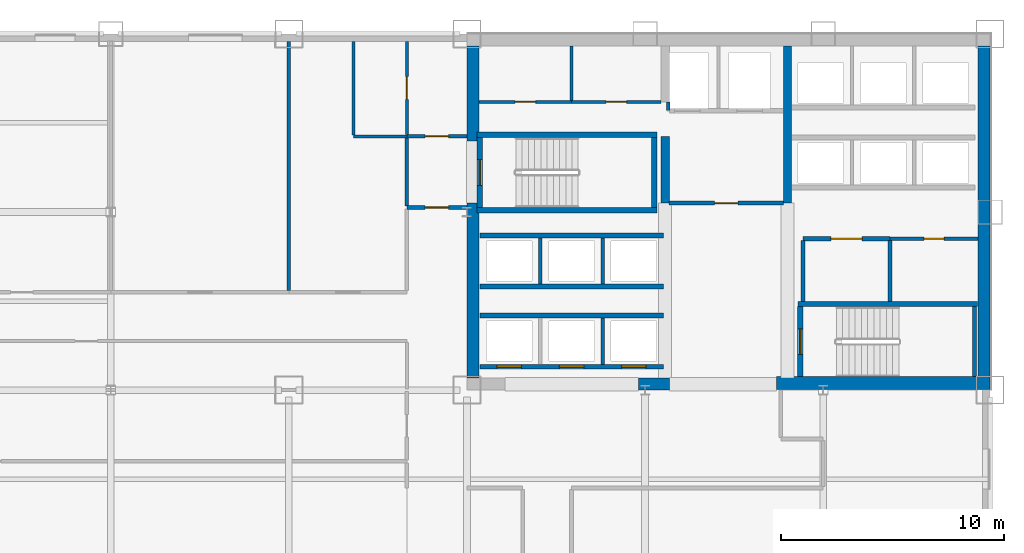
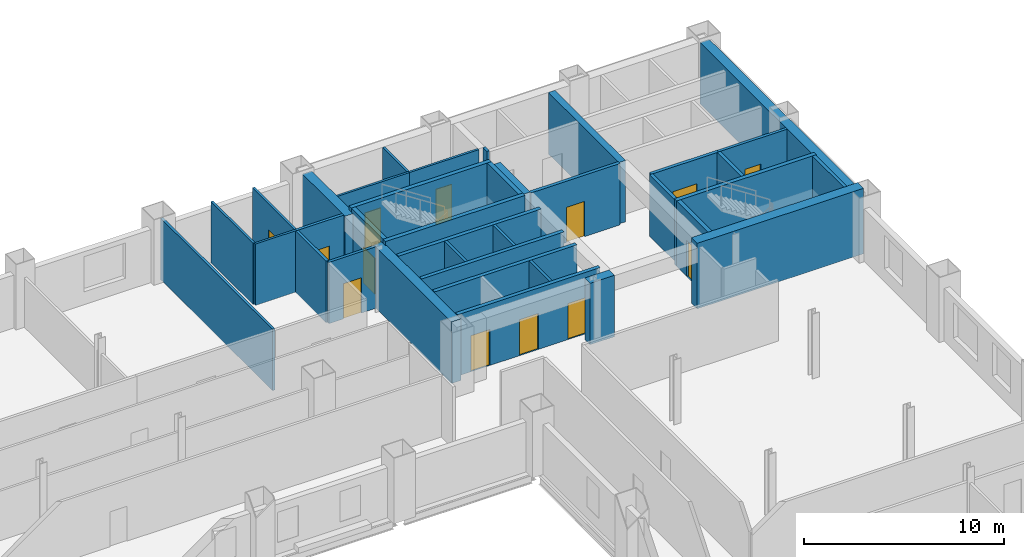
# One storey, part 6 of 9: 37 walls, 13 doors, 13 openings.
"""IFC4 building model written with IfcOpenShell, lengths in metres."""

from ifc_helpers import new_model, si_unit, direction, frame, frame_2d, origin, place, context, subcontext, project, spatial, rectangle, extrude, material, layer, layer_set, type_object, element, fill, save


model = new_model("IFC4")

# Units and contexts
model_context = context("Model", 3, precision=1e-05, world=origin(), true_north=direction((0.0, 1.0)))
body_context = subcontext(model_context, "Body", "Model", "MODEL_VIEW")
ifc_project = project(units=[si_unit("LENGTHUNIT", "METRE"), si_unit("AREAUNIT", "SQUARE_METRE"), si_unit("VOLUMEUNIT", "CUBIC_METRE"), si_unit("PLANEANGLEUNIT", "RADIAN"), si_unit("MASSUNIT", "GRAM", prefix="KILO")], contexts=[model_context])

# Site, building, storey
site_placement = place(None, origin())
site = spatial("IfcSite", under=ifc_project, at=site_placement, CompositionType="ELEMENT")
building_placement = place(site_placement, origin())
building = spatial("IfcBuilding", under=site, at=building_placement, Name="Qianrong Seaharbour Tower", CompositionType="ELEMENT")
storey_placement = place(building_placement, frame((0.0, 0.0, 52.199951171875)))
storey = spatial("IfcBuildingStorey", under=building, at=storey_placement, Name="L12", CompositionType="ELEMENT", Elevation=52.199951171875)

# Walls
ifc_material_1 = material(Name="Concrete C70/85", Category="concrete")
ifc_layer_1 = layer(ifc_material_1, 0.5400390625)
ifc_layer_set_1 = layer_set([ifc_layer_1], Name="Concrete C70/85")
wall_type_1 = type_object("IfcWallType", Name="WALL-CORE-540", PredefinedType="SHEAR", material=ifc_layer_set_1)
wall_1_placement = place(storey_placement, frame((63.72998046875, 36.320068359375, 0.0), z_axis=(0.0, 0.0, 1.0), x_axis=(0.0, 1.0, 0.0)))
element("IfcWall", 1, at=wall_1_placement, inside=storey, type_object=wall_type_1, Name="L12 East Core Shear Wall", PredefinedType="SHEAR", context=body_context, shape_type="SweptSolid", body=[
    extrude(rectangle(XDim=15.139892578125, YDim=0.5400390625, at=frame_2d((7.56982421875, 0.0))), origin(), (0.0, 0.0, 1.0), 3.75),
])
wall_2_placement = place(storey_placement, frame((40.77001953125, 36.5400390625, 0.0), z_axis=(0.0, 0.0, 1.0), x_axis=(0.0, 1.0, 0.0)))
element("IfcWall", 2, at=wall_2_placement, inside=storey, type_object=wall_type_1, Name="L12 West Core Shear Wall South", PredefinedType="SHEAR", context=body_context, shape_type="SweptSolid", body=[
    extrude(rectangle(XDim=7.85986328125, YDim=0.5400390625, at=frame_2d((3.929931640625, 0.0))), origin(), (0.0, 0.0, 1.0), 3.75),
])
wall_3_placement = place(storey_placement, frame((40.77001953125, 47.199951171875, 0.0), z_axis=(0.0, 0.0, 1.0), x_axis=(0.0, 1.0, 0.0)))
element("IfcWall", 3, at=wall_3_placement, inside=storey, type_object=wall_type_1, Name="L12 West Core Shear Wall North", PredefinedType="SHEAR", context=body_context, shape_type="SweptSolid", body=[
    extrude(rectangle(XDim=4.260009765625, YDim=0.5400390625, at=frame_2d((2.1298828125, 0.0))), origin(), (0.0, 0.0, 1.0), 3.75),
])
wall_4_placement = place(storey_placement, frame((48.199951171875, 36.27001953125, 0.0), z_axis=(0.0, 0.0, 1.0), x_axis=(1.0, 0.0, 0.0)))
element("IfcWall", 4, at=wall_4_placement, inside=storey, type_object=wall_type_1, Name="L12 South Core Shear Wall S2", PredefinedType="SHEAR", context=body_context, shape_type="SweptSolid", body=[
    extrude(rectangle(XDim=1.400146484375, YDim=0.5400390625, at=frame_2d((0.7001953125, 0.0))), origin(), (0.0, 0.0, 1.0), 3.75),
])
ifc_layer_2 = layer(ifc_material_1, 0.580078125)
ifc_layer_set_2 = layer_set([ifc_layer_2], Name="Concrete C70/85")
wall_type_2 = type_object("IfcWallType", Name="WALL-CORE-580", PredefinedType="SHEAR", material=ifc_layer_set_2)
wall_5_placement = place(storey_placement, frame((54.39990234375, 36.320068359375, 0.0), z_axis=(0.0, 0.0, 1.0), x_axis=(1.0, 0.0, 0.0)))
element("IfcWall", 5, at=wall_5_placement, inside=storey, type_object=wall_type_2, Name="L12 South Core Shear Wall S3", PredefinedType="SHEAR", context=body_context, shape_type="SweptSolid", body=[
    extrude(rectangle(XDim=9.60009765625, YDim=0.580078125, at=frame_2d((4.800048828125, 0.0))), origin(), (0.0, 0.0, 1.0), 4.0),
])
ifc_material_2 = material(Name="Concrete C60/75", Category="concrete")
ifc_layer_3 = layer(ifc_material_2, 0.3798828125)
ifc_layer_set_3 = layer_set([ifc_layer_3], Name="Concrete C60/75")
wall_type_3 = type_object("IfcWallType", Name="WALL-CORE-INT-380", PredefinedType="SHEAR", material=ifc_layer_set_3)
wall_6_placement = place(storey_placement, frame((49.39990234375, 44.39990234375, 0.0), z_axis=(0.0, 0.0, 1.0), x_axis=(0.0, 1.0, 0.0)))
element("IfcWall", 6, at=wall_6_placement, inside=storey, type_object=wall_type_3, Name="L12 Internal Core Shear Wall IW1N1", PredefinedType="SHEAR", context=body_context, shape_type="SweptSolid", body=[
    extrude(rectangle(XDim=3.0, YDim=0.3798828125, at=frame_2d((1.5, 0.0))), origin(), (0.0, 0.0, 1.0), 3.75),
])
wall_7_placement = place(storey_placement, frame((54.89990234375, 44.39990234375, 0.0), z_axis=(0.0, 0.0, 1.0), x_axis=(0.0, 1.0, 0.0)))
element("IfcWall", 7, at=wall_7_placement, inside=storey, type_object=wall_type_3, Name="L12 Internal Core Shear Wall IW2N", PredefinedType="SHEAR", context=body_context, shape_type="SweptSolid", body=[
    extrude(rectangle(XDim=7.06005859375, YDim=0.3798828125, at=frame_2d((3.530029296875, 0.0))), origin(), (0.0, 0.0, 1.0), 3.75),
])

# Wall, opening, door
ifc_material_3 = material(Name="Fire-rated acoustic gypsum board partition")
ifc_layer_4 = layer(ifc_material_3, 0.1650390625)
ifc_layer_set_4 = layer_set([ifc_layer_4], Name="Fire-rated acoustic gypsum board partition")
wall_type_4 = type_object("IfcWallType", Name="WALL-CORR-PART-165", PredefinedType="PARTITIONING", material=ifc_layer_set_4)
wall_8_placement = place(storey_placement, frame((37.800048828125, 47.39990234375, 0.0), z_axis=(0.0, 0.0, 1.0), x_axis=(1.0, 0.0, 0.0)))
wall_8 = element("IfcWall", 8, at=wall_8_placement, inside=storey, type_object=wall_type_4, Name="L12 Interior Partition Wall 001", PredefinedType="PARTITIONING", context=body_context, shape_type="SweptSolid", body=[
    extrude(rectangle(XDim=2.699951171875, YDim=0.1650390625, at=frame_2d((1.35009765625, 0.0))), origin(), (0.0, 0.0, 1.0), 3.75),
])
opening_1_placement = place(wall_8_placement, frame((0.824951171875, 0.0, 0.0)))
opening_1 = element("IfcOpeningElement", 9, at=opening_1_placement, cuts=wall_8, Name="Opening DC-01", PredefinedType="OPENING", context=body_context, shape_type="SweptSolid", body=[
    extrude(rectangle(XDim=1.050048828125, YDim=2.14990234375, at=frame_2d((0.52490234375, 1.074951171875))), frame((0.0, 0.092529296875, 0.0), z_axis=(0.0, -1.0, 0.0), x_axis=(1.0, 0.0, 0.0)), (0.0, 0.0, 1.0), 0.18505859375),
])
ifc_material_4 = material(Name="Acoustic timber and galvanized steel fire door assembly", Category="steel")
door_type_1 = type_object("IfcDoorType", Name="DOOR-CORR-FD60-1050x2150", OperationType="NOTDEFINED", PredefinedType="DOOR", material=ifc_material_4)
door_1_placement = place(opening_1_placement, origin())
door_1 = element("IfcDoor", 10, at=door_1_placement, inside=storey, type_object=door_type_1, Name="L12 Smokeproof Stair Vestibule ST-1 Door", OperationType="SINGLE_SWING_RIGHT", OverallHeight=2.14990234375, OverallWidth=1.050048828125, PredefinedType="DOOR", context=body_context, shape_type="SweptSolid", body=[
    extrude(rectangle(XDim=1.050048828125, YDim=2.14990234375, at=frame_2d((0.52490234375, 1.074951171875))), frame((0.0, 0.02490234375, 0.0), z_axis=(0.0, -1.0, 0.0), x_axis=(1.0, 0.0, 0.0)), (0.0, 0.0, 1.0), 0.050048828125),
])
fill(opening_1, door_1)

wall_9_placement = place(storey_placement, frame((40.5, 44.199951171875, 0.0), z_axis=(0.0, 0.0, 1.0), x_axis=(-1.0, 0.0, 0.0)))
wall_9 = element("IfcWall", 11, at=wall_9_placement, inside=storey, type_object=wall_type_4, Name="L12 Interior Partition Wall 002", PredefinedType="PARTITIONING", context=body_context, shape_type="SweptSolid", body=[
    extrude(rectangle(XDim=2.699951171875, YDim=0.1650390625, at=frame_2d((1.35009765625, 0.0))), origin(), (0.0, 0.0, 1.0), 3.75),
])
opening_2_placement = place(wall_9_placement, frame((0.824951171875, 0.0, 0.0)))
opening_2 = element("IfcOpeningElement", 12, at=opening_2_placement, cuts=wall_9, Name="Opening DC-01", PredefinedType="OPENING", context=body_context, shape_type="SweptSolid", body=[
    extrude(rectangle(XDim=1.050048828125, YDim=2.14990234375, at=frame_2d((0.52490234375, 1.074951171875))), frame((0.0, 0.092529296875, 0.0), z_axis=(0.0, -1.0, 0.0), x_axis=(1.0, 0.0, 0.0)), (0.0, 0.0, 1.0), 0.18505859375),
])
door_2_placement = place(opening_2_placement, origin())
door_2 = element("IfcDoor", 13, at=door_2_placement, inside=storey, type_object=door_type_1, Name="L12 Smokeproof Stair Vestibule ST-1 Door", OperationType="SINGLE_SWING_LEFT", OverallHeight=2.14990234375, OverallWidth=1.050048828125, PredefinedType="DOOR", context=body_context, shape_type="SweptSolid", body=[
    extrude(rectangle(XDim=1.050048828125, YDim=2.14990234375, at=frame_2d((0.52490234375, 1.074951171875))), frame((0.0, 0.02490234375, 0.0), z_axis=(0.0, -1.0, 0.0), x_axis=(1.0, 0.0, 0.0)), (0.0, 0.0, 1.0), 0.050048828125),
])
fill(opening_2, door_2)

# Wall
wall_10_placement = place(storey_placement, frame((37.800048828125, 44.2744140625, 0.0), z_axis=(0.0, 0.0, 1.0), x_axis=(0.0, 1.0, 0.0)))
element("IfcWall", 14, at=wall_10_placement, inside=storey, type_object=wall_type_4, Name="L12 Interior Partition Wall 003", PredefinedType="PARTITIONING", context=body_context, shape_type="SweptSolid", body=[
    extrude(rectangle(XDim=3.051025390625, YDim=0.1650390625, at=frame_2d((1.525390625, 0.0))), origin(), (0.0, 0.0, 1.0), 3.75),
])

# Wall, opening, door
wall_11_placement = place(storey_placement, frame((63.4599609375, 42.800048828125, 0.0), z_axis=(0.0, 0.0, 1.0), x_axis=(-1.0, 0.0, 0.0)))
wall_11 = element("IfcWall", 15, at=wall_11_placement, inside=storey, type_object=wall_type_4, Name="L12 Interior Partition Wall 012", PredefinedType="PARTITIONING", context=body_context, shape_type="SweptSolid", body=[
    extrude(rectangle(XDim=3.9599609375, YDim=0.1650390625, at=frame_2d((1.97998046875, 0.0))), origin(), (0.0, 0.0, 1.0), 3.75),
])
opening_3_placement = place(wall_11_placement, frame((1.530029296875, 0.0, 0.0)))
opening_3 = element("IfcOpeningElement", 16, at=opening_3_placement, cuts=wall_11, Name="Opening DS-01", PredefinedType="OPENING", context=body_context, shape_type="SweptSolid", body=[
    extrude(rectangle(XDim=0.89990234375, YDim=2.14990234375, at=frame_2d((0.449951171875, 1.074951171875))), frame((0.0, 0.092529296875, 0.0), z_axis=(0.0, -1.0, 0.0), x_axis=(1.0, 0.0, 0.0)), (0.0, 0.0, 1.0), 0.18505859375),
])
door_type_2 = type_object("IfcDoorType", Name="DOOR-STORE-900x2150", OperationType="NOTDEFINED", PredefinedType="DOOR", material=ifc_material_4)
door_3_placement = place(opening_3_placement, origin())
door_3 = element("IfcDoor", 17, at=door_3_placement, inside=storey, type_object=door_type_2, Name="L12 Cleaner Store Room Door", OperationType="SINGLE_SWING_RIGHT", OverallHeight=2.14990234375, OverallWidth=0.89990234375, PredefinedType="DOOR", context=body_context, shape_type="SweptSolid", body=[
    extrude(rectangle(XDim=0.89990234375, YDim=2.14990234375, at=frame_2d((0.449951171875, 1.074951171875))), frame((0.0, 0.02490234375, 0.0), z_axis=(0.0, -1.0, 0.0), x_axis=(1.0, 0.0, 0.0)), (0.0, 0.0, 1.0), 0.050048828125),
])
fill(opening_3, door_3)

ifc_material_5 = material(Name="Double fire-rated gypsum board acoustic partition")
ifc_layer_5 = layer(ifc_material_5, 0.18994140625)
ifc_layer_set_5 = layer_set([ifc_layer_5], Name="Double fire-rated gypsum board acoustic partition")
wall_type_5 = type_object("IfcWallType", Name="WALL-FIRE-PART-190", PredefinedType="PARTITIONING", material=ifc_layer_set_5)
wall_12_placement = place(storey_placement, frame((54.718017578125, 44.39990234375, 0.0), z_axis=(0.0, 0.0, 1.0), x_axis=(-1.0, 0.0, 0.0)))
wall_12 = element("IfcWall", 18, at=wall_12_placement, inside=storey, type_object=wall_type_5, Name="L12 Interior Partition Wall 009", PredefinedType="PARTITIONING", context=body_context, shape_type="SweptSolid", body=[
    extrude(rectangle(XDim=5.135986328125, YDim=0.18994140625, at=frame_2d((2.56787109375, 0.0))), origin(), (0.0, 0.0, 1.0), 3.75),
])
opening_4_placement = place(wall_12_placement, frame((2.04296875, 0.0, 0.0)))
opening_4 = element("IfcOpeningElement", 19, at=opening_4_placement, cuts=wall_12, Name="Opening DC-01", PredefinedType="OPENING", context=body_context, shape_type="SweptSolid", body=[
    extrude(rectangle(XDim=1.050048828125, YDim=2.14990234375, at=frame_2d((0.52490234375, 1.074951171875))), frame((0.0, 0.10498046875, 0.0), z_axis=(0.0, -1.0, 0.0), x_axis=(1.0, 0.0, 0.0)), (0.0, 0.0, 1.0), 0.2099609375),
])
door_4_placement = place(opening_4_placement, origin())
door_4 = element("IfcDoor", 20, at=door_4_placement, inside=storey, type_object=door_type_1, Name="L12 Firefighting Lift Lobby Door", OperationType="SINGLE_SWING_LEFT", OverallHeight=2.14990234375, OverallWidth=1.050048828125, PredefinedType="DOOR", context=body_context, shape_type="SweptSolid", body=[
    extrude(rectangle(XDim=1.050048828125, YDim=2.14990234375, at=frame_2d((0.52490234375, 1.074951171875))), frame((0.0, 0.02490234375, 0.0), z_axis=(0.0, -1.0, 0.0), x_axis=(1.0, 0.0, 0.0)), (0.0, 0.0, 1.0), 0.050048828125),
])
fill(opening_4, door_4)

# Wall
wall_13_placement = place(storey_placement, frame((55.60009765625, 42.712890625, 0.0), z_axis=(0.0, 0.0, 1.0), x_axis=(0.0, -1.0, 0.0)))
element("IfcWall", 21, at=wall_13_placement, inside=storey, type_object=wall_type_5, Name="L12 Interior Partition Wall 010", PredefinedType="PARTITIONING", context=body_context, shape_type="SweptSolid", body=[
    extrude(rectangle(XDim=2.73095703125, YDim=0.18994140625, at=frame_2d((1.365478515625, 0.0))), origin(), (0.0, 0.0, 1.0), 3.75),
])

# Wall, opening, door
wall_14_placement = place(storey_placement, frame((59.5, 42.800048828125, 0.0), z_axis=(0.0, 0.0, 1.0), x_axis=(-1.0, 0.0, 0.0)))
wall_14 = element("IfcWall", 22, at=wall_14_placement, inside=storey, type_object=wall_type_5, Name="L12 Interior Partition Wall 011", PredefinedType="PARTITIONING", context=body_context, shape_type="SweptSolid", body=[
    extrude(rectangle(XDim=3.89990234375, YDim=0.18994140625, at=frame_2d((1.949951171875, 0.0))), origin(), (0.0, 0.0, 1.0), 3.75),
])
opening_5_placement = place(wall_14_placement, frame((1.25, 0.0, 0.0)))
opening_5 = element("IfcOpeningElement", 23, at=opening_5_placement, cuts=wall_14, Name="Opening DP-01", PredefinedType="OPENING", context=body_context, shape_type="SweptSolid", body=[
    extrude(rectangle(XDim=1.39990234375, YDim=2.25, at=frame_2d((0.699951171875, 1.125))), frame((0.0, 0.10498046875, 0.0), z_axis=(0.0, -1.0, 0.0), x_axis=(1.0, 0.0, 0.0)), (0.0, 0.0, 1.0), 0.2099609375),
])
door_type_3 = type_object("IfcDoorType", Name="DOOR-PLANT-PAIR-1400x2250", OperationType="DOUBLE_DOOR_SINGLE_SWING", PredefinedType="DOOR", material=ifc_material_4)
door_5_placement = place(opening_5_placement, origin())
door_5 = element("IfcDoor", 24, at=door_5_placement, inside=storey, type_object=door_type_3, Name="L12 Electrical Substation Door", OperationType="DOUBLE_DOOR_SINGLE_SWING", OverallHeight=2.25, OverallWidth=1.39990234375, PredefinedType="DOOR", context=body_context, shape_type="SweptSolid", body=[
    extrude(rectangle(XDim=1.39990234375, YDim=2.25, at=frame_2d((0.699951171875, 1.125))), frame((0.0, 0.02490234375, 0.0), z_axis=(0.0, -1.0, 0.0), x_axis=(1.0, 0.0, 0.0)), (0.0, 0.0, 1.0), 0.050048828125),
])
fill(opening_5, door_5)

# Walls
wall_15_placement = place(storey_placement, frame((59.5, 42.712890625, 0.0), z_axis=(0.0, 0.0, 1.0), x_axis=(0.0, -1.0, 0.0)))
element("IfcWall", 25, at=wall_15_placement, inside=storey, type_object=wall_type_5, Name="L12 Interior Partition Wall 014", PredefinedType="PARTITIONING", context=body_context, shape_type="SweptSolid", body=[
    extrude(rectangle(XDim=2.73095703125, YDim=0.18994140625, at=frame_2d((1.365478515625, 0.0))), origin(), (0.0, 0.0, 1.0), 3.75),
])
ifc_material_6 = material(Name="Acoustic gypsum board stud partition")
ifc_layer_6 = layer(ifc_material_6, 0.14501953125)
ifc_layer_set_6 = layer_set([ifc_layer_6], Name="Acoustic gypsum board stud partition")
wall_type_6 = type_object("IfcWallType", Name="WALL-OFFICE-PART-145", PredefinedType="PARTITIONING", material=ifc_layer_set_6)
wall_16_placement = place(storey_placement, frame((32.5, 51.66796875, 0.0), z_axis=(0.0, 0.0, 1.0), x_axis=(0.0, -1.0, 0.0)))
element("IfcWall", 26, at=wall_16_placement, inside=storey, type_object=wall_type_6, Name="L12 Interior Partition Wall 040", PredefinedType="PARTITIONING", context=body_context, shape_type="SweptSolid", body=[
    extrude(rectangle(XDim=11.193359375, YDim=0.14501953125, at=frame_2d((5.5966796875, 0.0))), origin(), (0.0, 0.0, 1.0), 3.75),
])
ifc_material_7 = material(Name="Fire-rated gypsum board on steel studs", Category="steel")
ifc_layer_7 = layer(ifc_material_7, 0.14990234375)
ifc_layer_set_7 = layer_set([ifc_layer_7], Name="Fire-rated gypsum board on steel studs")
wall_type_7 = type_object("IfcWallType", Name="WALL-SHAFT-DIV-150", PredefinedType="PARTITIONING", material=ifc_layer_set_7)
wall_17_placement = place(storey_placement, frame((49.550048828125, 48.550048828125, 0.0), z_axis=(0.0, 0.0, 1.0), x_axis=(0.0, 1.0, 0.0)))
element("IfcWall", 27, at=wall_17_placement, inside=storey, type_object=wall_type_7, Name="L12 Firefighting Lift Shaft West Return Wall", PredefinedType="PARTITIONING", context=body_context, shape_type="SweptSolid", body=[
    extrude(rectangle(XDim=0.39990234375, YDim=0.14990234375, at=frame_2d((0.199951171875, 0.0))), origin(), (0.0, 0.0, 1.0), 3.75),
])
for number, where, z_axis, x_axis, name in (
    (28, (46.60009765625, 37.159912109375, 0.0), (0.0, 0.0, 1.0), (0.0, 1.0, 0.0), "L12 P1 Lift Hoistway Divider 3"),
    (29, (43.800048828125, 40.760009765625, 0.0), (0.0, 0.0, 1.0), (0.0, 1.0, 0.0), "L12 P2 Lift Hoistway Divider 2"),
    (30, (46.60009765625, 40.760009765625, 0.0), (0.0, 0.0, 1.0), (0.0, 1.0, 0.0), "L12 P2 Lift Hoistway Divider 3"),
):
    element("IfcWall", number, at=place(storey_placement, frame(where, z_axis=z_axis, x_axis=x_axis)), inside=storey, type_object=wall_type_7, Name=name, PredefinedType="PARTITIONING", context=body_context, shape_type="SweptSolid", body=[
        extrude(rectangle(XDim=2.080078125, YDim=0.14990234375, at=frame_2d((1.0400390625, 0.0))), origin(), (0.0, 0.0, 1.0), 3.75),
    ])

# Wall, openings, doors
ifc_layer_8 = layer(ifc_material_7, 0.219970703125)
ifc_layer_set_8 = layer_set([ifc_layer_8], Name="Fire-rated gypsum board on steel studs")
wall_type_8 = type_object("IfcWallType", Name="WALL-SHAFT-GYP220", PredefinedType="PARTITIONING", material=ifc_layer_set_8)
wall_18_placement = place(storey_placement, frame((49.320068359375, 37.050048828125, 0.0), z_axis=(0.0, 0.0, 1.0), x_axis=(-1.0, 0.0, 0.0)))
wall_18 = element("IfcWall", 31, at=wall_18_placement, inside=storey, type_object=wall_type_8, Name="L12 P1 Lift Hoistway Front Wall", PredefinedType="PARTITIONING", context=body_context, shape_type="SweptSolid", body=[
    extrude(rectangle(XDim=8.239990234375, YDim=0.219970703125, at=frame_2d((4.1201171875, 0.0))), origin(), (0.0, 0.0, 1.0), 3.75),
])
opening_6_placement = place(wall_18_placement, frame((6.3701171875, 0.0, 0.0)))
opening_6 = element("IfcOpeningElement", 32, at=opening_6_placement, cuts=wall_18, Name="Opening LD-02", PredefinedType="OPENING", context=body_context, shape_type="SweptSolid", body=[
    extrude(rectangle(XDim=1.10009765625, YDim=2.199951171875, at=frame_2d((0.550048828125, 1.10009765625))), frame((0.0, 0.1201171875, 0.0), z_axis=(0.0, -1.0, 0.0), x_axis=(1.0, 0.0, 0.0)), (0.0, 0.0, 1.0), 0.239990234375),
])
opening_7_placement = place(wall_18_placement, frame((3.570068359375, 0.0, 0.0)))
opening_7 = element("IfcOpeningElement", 33, at=opening_7_placement, cuts=wall_18, Name="Opening LD-02", PredefinedType="OPENING", context=body_context, shape_type="SweptSolid", body=[
    extrude(rectangle(XDim=1.10009765625, YDim=2.199951171875, at=frame_2d((0.550048828125, 1.10009765625))), frame((0.0, 0.1201171875, 0.0), z_axis=(0.0, -1.0, 0.0), x_axis=(1.0, 0.0, 0.0)), (0.0, 0.0, 1.0), 0.239990234375),
])
opening_8_placement = place(wall_18_placement, frame((0.77001953125, 0.0, 0.0)))
opening_8 = element("IfcOpeningElement", 34, at=opening_8_placement, cuts=wall_18, Name="Opening LD-02", PredefinedType="OPENING", context=body_context, shape_type="SweptSolid", body=[
    extrude(rectangle(XDim=1.10009765625, YDim=2.199951171875, at=frame_2d((0.550048828125, 1.10009765625))), frame((0.0, 0.1201171875, 0.0), z_axis=(0.0, -1.0, 0.0), x_axis=(1.0, 0.0, 0.0)), (0.0, 0.0, 1.0), 0.239990234375),
])
ifc_material_8 = material(Name="Stainless steel SUS316L bi-parting lift landing door", Category="steel")
door_type_4 = type_object("IfcDoorType", Name="DOOR-LIFT-PASS-1100x2200", OperationType="DOUBLE_DOOR_SLIDING", PredefinedType="DOOR", material=ifc_material_8)
door_6_placement = place(opening_6_placement, origin())
door_6 = element("IfcDoor", 35, at=door_6_placement, inside=storey, type_object=door_type_4, Name="L12 PL-1A Lift Landing Door", OperationType="DOUBLE_DOOR_SLIDING", OverallHeight=2.199951171875, OverallWidth=1.10009765625, PredefinedType="DOOR", context=body_context, shape_type="SweptSolid", body=[
    extrude(rectangle(XDim=1.10009765625, YDim=2.199951171875, at=frame_2d((0.550048828125, 1.10009765625))), frame((0.0, 0.02490234375, 0.0), z_axis=(0.0, -1.0, 0.0), x_axis=(1.0, 0.0, 0.0)), (0.0, 0.0, 1.0), 0.050048828125),
])
fill(opening_6, door_6)
door_7_placement = place(opening_7_placement, origin())
door_7 = element("IfcDoor", 36, at=door_7_placement, inside=storey, type_object=door_type_4, Name="L12 PL-1B Lift Landing Door", OperationType="DOUBLE_DOOR_SLIDING", OverallHeight=2.199951171875, OverallWidth=1.10009765625, PredefinedType="DOOR", context=body_context, shape_type="SweptSolid", body=[
    extrude(rectangle(XDim=1.10009765625, YDim=2.199951171875, at=frame_2d((0.550048828125, 1.10009765625))), frame((0.0, 0.02490234375, 0.0), z_axis=(0.0, -1.0, 0.0), x_axis=(1.0, 0.0, 0.0)), (0.0, 0.0, 1.0), 0.050048828125),
])
fill(opening_7, door_7)
door_8_placement = place(opening_8_placement, origin())
door_8 = element("IfcDoor", 37, at=door_8_placement, inside=storey, type_object=door_type_4, Name="L12 PL-1C Lift Landing Door", OperationType="DOUBLE_DOOR_SLIDING", OverallHeight=2.199951171875, OverallWidth=1.10009765625, PredefinedType="DOOR", context=body_context, shape_type="SweptSolid", body=[
    extrude(rectangle(XDim=1.10009765625, YDim=2.199951171875, at=frame_2d((0.550048828125, 1.10009765625))), frame((0.0, 0.02490234375, 0.0), z_axis=(0.0, -1.0, 0.0), x_axis=(1.0, 0.0, 0.0)), (0.0, 0.0, 1.0), 0.050048828125),
])
fill(opening_8, door_8)

# Walls
for number, where, z_axis, x_axis, name in (
    (38, (41.080078125, 39.35009765625, 0.0), (0.0, 0.0, 1.0), (1.0, 0.0, 0.0), "L12 P1 Lift Hoistway Back Wall"),
    (39, (49.320068359375, 40.64990234375, 0.0), (0.0, 0.0, 1.0), (-1.0, 0.0, 0.0), "L12 P2 Lift Hoistway Front Wall"),
    (40, (41.080078125, 42.949951171875, 0.0), (0.0, 0.0, 1.0), (1.0, 0.0, 0.0), "L12 P2 Lift Hoistway Back Wall"),
):
    element("IfcWall", number, at=place(storey_placement, frame(where, z_axis=z_axis, x_axis=x_axis)), inside=storey, type_object=wall_type_8, Name=name, PredefinedType="PARTITIONING", context=body_context, shape_type="SweptSolid", body=[
        extrude(rectangle(XDim=8.239990234375, YDim=0.219970703125, at=frame_2d((4.1201171875, 0.0))), origin(), (0.0, 0.0, 1.0), 3.75),
    ])
ifc_material_9 = material(Name="Concrete C50/60", Category="concrete")
ifc_layer_9 = layer(ifc_material_9, 0.239990234375)
ifc_layer_set_9 = layer_set([ifc_layer_9], Name="Concrete C50/60")
wall_type_9 = type_object("IfcWallType", Name="WALL-SHAFT-RC240", PredefinedType="SOLIDWALL", material=ifc_layer_set_9)
for number, where, z_axis, x_axis, name in (
    (41, (40.9599609375, 47.469970703125, 0.0), (0.0, 0.0, 1.0), (1.0, 0.0, 0.0), "L12 ST-1 Structural Stair Core Wall N"),
    (42, (49.0400390625, 44.080078125, 0.0), (0.0, 0.0, 1.0), (-1.0, 0.0, 0.0), "L12 ST-1 Structural Stair Core Wall S"),
):
    element("IfcWall", number, at=place(storey_placement, frame(where, z_axis=z_axis, x_axis=x_axis)), inside=storey, type_object=wall_type_9, Name=name, PredefinedType="SOLIDWALL", context=body_context, shape_type="SweptSolid", body=[
        extrude(rectangle(XDim=8.080078125, YDim=0.239990234375, at=frame_2d((4.0400390625, 0.0))), origin(), (0.0, 0.0, 1.0), 4.0),
    ])

# Wall, opening, door
wall_19_placement = place(storey_placement, frame((41.080078125, 47.35009765625, 0.0), z_axis=(0.0, 0.0, 1.0), x_axis=(0.0, -1.0, 0.0)))
wall_19 = element("IfcWall", 43, at=wall_19_placement, inside=storey, type_object=wall_type_9, Name="L12 ST-1 Structural Stair Core Wall W", PredefinedType="SOLIDWALL", context=body_context, shape_type="SweptSolid", body=[
    extrude(rectangle(XDim=3.150146484375, YDim=0.239990234375, at=frame_2d((1.5751953125, 0.0))), origin(), (0.0, 0.0, 1.0), 4.0),
])
opening_9_placement = place(wall_19_placement, frame((1.0, 0.0, 0.0)))
opening_9 = element("IfcOpeningElement", 44, at=opening_9_placement, cuts=wall_19, Name="Opening SD-01", PredefinedType="OPENING", context=body_context, shape_type="SweptSolid", body=[
    extrude(rectangle(XDim=1.14990234375, YDim=2.199951171875, at=frame_2d((0.574951171875, 1.10009765625))), frame((0.0, 0.1298828125, 0.0), z_axis=(0.0, -1.0, 0.0), x_axis=(1.0, 0.0, 0.0)), (0.0, 0.0, 1.0), 0.260009765625),
])
door_type_5 = type_object("IfcDoorType", Name="DOOR-STAIR-FD60-1150x2200", OperationType="NOTDEFINED", PredefinedType="DOOR", material=ifc_material_4)
door_9_placement = place(opening_9_placement, origin())
door_9 = element("IfcDoor", 45, at=door_9_placement, inside=storey, type_object=door_type_5, Name="L12 ST-1 Protected Stair Door", OperationType="SINGLE_SWING_LEFT", OverallHeight=2.199951171875, OverallWidth=1.14990234375, PredefinedType="DOOR", context=body_context, shape_type="SweptSolid", body=[
    extrude(rectangle(XDim=1.14990234375, YDim=2.199951171875, at=frame_2d((0.574951171875, 1.10009765625))), frame((0.0, 0.02490234375, 0.0), z_axis=(0.0, -1.0, 0.0), x_axis=(1.0, 0.0, 0.0)), (0.0, 0.0, 1.0), 0.050048828125),
])
fill(opening_9, door_9)

# Walls
wall_20_placement = place(storey_placement, frame((48.919921875, 44.199951171875, 0.0), z_axis=(0.0, 0.0, 1.0), x_axis=(0.0, 1.0, 0.0)))
element("IfcWall", 46, at=wall_20_placement, inside=storey, type_object=wall_type_9, Name="L12 ST-1 Structural Stair Core Wall E", PredefinedType="SOLIDWALL", context=body_context, shape_type="SweptSolid", body=[
    extrude(rectangle(XDim=3.150146484375, YDim=0.239990234375, at=frame_2d((1.5751953125, 0.0))), origin(), (0.0, 0.0, 1.0), 4.0),
])
wall_21_placement = place(storey_placement, frame((55.360107421875, 39.8701171875, 0.0), z_axis=(0.0, 0.0, 1.0), x_axis=(1.0, 0.0, 0.0)))
element("IfcWall", 47, at=wall_21_placement, inside=storey, type_object=wall_type_9, Name="L12 ST-2 Structural Stair Core Wall N", PredefinedType="SOLIDWALL", context=body_context, shape_type="SweptSolid", body=[
    extrude(rectangle(XDim=8.079833984375, YDim=0.239990234375, at=frame_2d((4.0400390625, 0.0))), origin(), (0.0, 0.0, 1.0), 4.0),
])

# Wall, opening, door
wall_22_placement = place(storey_placement, frame((55.47998046875, 39.75, 0.0), z_axis=(0.0, 0.0, 1.0), x_axis=(0.0, -1.0, 0.0)))
wall_22 = element("IfcWall", 48, at=wall_22_placement, inside=storey, type_object=wall_type_9, Name="L12 ST-2 Structural Stair Core Wall W", PredefinedType="SOLIDWALL", context=body_context, shape_type="SweptSolid", body=[
    extrude(rectangle(XDim=3.14990234375, YDim=0.239990234375, at=frame_2d((1.574951171875, 0.0))), origin(), (0.0, 0.0, 1.0), 4.0),
])
opening_10_placement = place(wall_22_placement, frame((1.0, 0.0, 0.0)))
opening_10 = element("IfcOpeningElement", 49, at=opening_10_placement, cuts=wall_22, Name="Opening SD-01", PredefinedType="OPENING", context=body_context, shape_type="SweptSolid", body=[
    extrude(rectangle(XDim=1.14990234375, YDim=2.199951171875, at=frame_2d((0.574951171875, 1.10009765625))), frame((0.0, 0.1298828125, 0.0), z_axis=(0.0, -1.0, 0.0), x_axis=(1.0, 0.0, 0.0)), (0.0, 0.0, 1.0), 0.260009765625),
])
door_10_placement = place(opening_10_placement, origin())
door_10 = element("IfcDoor", 50, at=door_10_placement, inside=storey, type_object=door_type_5, Name="L12 ST-2 Protected Stair Door", OperationType="SINGLE_SWING_LEFT", OverallHeight=2.199951171875, OverallWidth=1.14990234375, PredefinedType="DOOR", context=body_context, shape_type="SweptSolid", body=[
    extrude(rectangle(XDim=1.14990234375, YDim=2.199951171875, at=frame_2d((0.574951171875, 1.10009765625))), frame((0.0, 0.02490234375, 0.0), z_axis=(0.0, -1.0, 0.0), x_axis=(1.0, 0.0, 0.0)), (0.0, 0.0, 1.0), 0.050048828125),
])
fill(opening_10, door_10)

# Wall
wall_23_placement = place(storey_placement, frame((63.2900390625, 36.60009765625, 0.0), z_axis=(0.0, 0.0, 1.0), x_axis=(0.0, 1.0, 0.0)))
element("IfcWall", 51, at=wall_23_placement, inside=storey, type_object=wall_type_9, Name="L12 ST-2 Structural Stair Core Wall E", PredefinedType="SOLIDWALL", context=body_context, shape_type="SweptSolid", body=[
    extrude(rectangle(XDim=3.14990234375, YDim=0.179931640625, at=frame_2d((1.574951171875, 0.0))), origin(), (0.0, 0.0, 1.0), 4.0),
])

# Wall, opening, door
ifc_material_10 = material(Name="Water-resistant cement board sanitary partition")
ifc_layer_10 = layer(ifc_material_10, 0.1298828125)
ifc_layer_set_10 = layer_set([ifc_layer_10], Name="Water-resistant cement board sanitary partition")
wall_type_10 = type_object("IfcWallType", Name="WALL-WET-PART-130", PredefinedType="PARTITIONING", material=ifc_layer_set_10)
wall_24_placement = place(storey_placement, frame((37.800048828125, 47.474609375, 0.0), z_axis=(0.0, 0.0, 1.0), x_axis=(0.0, 1.0, 0.0)))
wall_24 = element("IfcWall", 52, at=wall_24_placement, inside=storey, type_object=wall_type_10, Name="L12 Interior Partition Wall 004", PredefinedType="PARTITIONING", context=body_context, shape_type="SweptSolid", body=[
    extrude(rectangle(XDim=4.193359375, YDim=0.1298828125, at=frame_2d((2.0966796875, 0.0))), origin(), (0.0, 0.0, 1.0), 3.75),
])
opening_11_placement = place(wall_24_placement, frame((1.5869140625, 0.0, 0.0)))
opening_11 = element("IfcOpeningElement", 53, at=opening_11_placement, cuts=wall_24, Name="Opening DAW-01", PredefinedType="OPENING", context=body_context, shape_type="SweptSolid", body=[
    extrude(rectangle(XDim=1.02001953125, YDim=2.14990234375, at=frame_2d((0.510009765625, 1.074951171875))), frame((0.0, 0.074951171875, 0.0), z_axis=(0.0, -1.0, 0.0), x_axis=(1.0, 0.0, 0.0)), (0.0, 0.0, 1.0), 0.14990234375),
])
door_type_6 = type_object("IfcDoorType", Name="DOOR-AWC-SLIDE-1020x2150", OperationType="SLIDING_TO_LEFT", PredefinedType="DOOR", material=ifc_material_4)
door_11_placement = place(opening_11_placement, origin())
door_11 = element("IfcDoor", 54, at=door_11_placement, inside=storey, type_object=door_type_6, Name="L12 Accessible Restroom WC Door", OperationType="SLIDING_TO_LEFT", OverallHeight=2.14990234375, OverallWidth=1.02001953125, PredefinedType="DOOR", context=body_context, shape_type="SweptSolid", body=[
    extrude(rectangle(XDim=1.02001953125, YDim=2.14990234375, at=frame_2d((0.510009765625, 1.074951171875))), frame((0.0, 0.02490234375, 0.0), z_axis=(0.0, -1.0, 0.0), x_axis=(1.0, 0.0, 0.0)), (0.0, 0.0, 1.0), 0.050048828125),
])
fill(opening_11, door_11)

# Walls
wall_25_placement = place(storey_placement, frame((37.800048828125, 47.39990234375, 0.0), z_axis=(0.0, 0.0, 1.0), x_axis=(-1.0, 0.0, 0.0)))
element("IfcWall", 55, at=wall_25_placement, inside=storey, type_object=wall_type_10, Name="L12 Interior Partition Wall 005", PredefinedType="PARTITIONING", context=body_context, shape_type="SweptSolid", body=[
    extrude(rectangle(XDim=2.400146484375, YDim=0.1298828125, at=frame_2d((1.2001953125, 0.0))), origin(), (0.0, 0.0, 1.0), 3.75),
])
wall_26_placement = place(storey_placement, frame((35.39990234375, 47.45703125, 0.0), z_axis=(0.0, 0.0, 1.0), x_axis=(0.0, 1.0, 0.0)))
element("IfcWall", 56, at=wall_26_placement, inside=storey, type_object=wall_type_10, Name="L12 Interior Partition Wall 006", PredefinedType="PARTITIONING", context=body_context, shape_type="SweptSolid", body=[
    extrude(rectangle(XDim=4.2109375, YDim=0.1298828125, at=frame_2d((2.10546875, 0.0))), origin(), (0.0, 0.0, 1.0), 3.75),
])

# Wall, opening, door
wall_27_placement = place(storey_placement, frame((41.0400390625, 48.949951171875, 0.0), z_axis=(0.0, 0.0, 1.0), x_axis=(1.0, 0.0, 0.0)))
wall_27 = element("IfcWall", 57, at=wall_27_placement, inside=storey, type_object=wall_type_10, Name="L12 Interior Partition Wall 007", PredefinedType="PARTITIONING", context=body_context, shape_type="SweptSolid", body=[
    extrude(rectangle(XDim=4.159912109375, YDim=0.1298828125, at=frame_2d((2.080078125, 0.0))), origin(), (0.0, 0.0, 1.0), 3.75),
])
opening_12_placement = place(wall_27_placement, frame((1.6201171875, 0.0, 0.0)))
opening_12 = element("IfcOpeningElement", 58, at=opening_12_placement, cuts=wall_27, Name="Opening DW-01", PredefinedType="OPENING", context=body_context, shape_type="SweptSolid", body=[
    extrude(rectangle(XDim=0.919921875, YDim=2.14990234375, at=frame_2d((0.4599609375, 1.074951171875))), frame((0.0, 0.074951171875, 0.0), z_axis=(0.0, -1.0, 0.0), x_axis=(1.0, 0.0, 0.0)), (0.0, 0.0, 1.0), 0.14990234375),
])
door_type_7 = type_object("IfcDoorType", Name="DOOR-WC-920x2150", OperationType="NOTDEFINED", PredefinedType="DOOR", material=ifc_material_4)
door_12_placement = place(opening_12_placement, origin())
door_12 = element("IfcDoor", 59, at=door_12_placement, inside=storey, type_object=door_type_7, Name="L12 Male Restroom WC Door", OperationType="SINGLE_SWING_RIGHT", OverallHeight=2.14990234375, OverallWidth=0.919921875, PredefinedType="DOOR", context=body_context, shape_type="SweptSolid", body=[
    extrude(rectangle(XDim=0.919921875, YDim=2.14990234375, at=frame_2d((0.4599609375, 1.074951171875))), frame((0.0, 0.02490234375, 0.0), z_axis=(0.0, -1.0, 0.0), x_axis=(1.0, 0.0, 0.0)), (0.0, 0.0, 1.0), 0.050048828125),
])
fill(opening_12, door_12)

wall_28_placement = place(storey_placement, frame((45.199951171875, 48.949951171875, 0.0), z_axis=(0.0, 0.0, 1.0), x_axis=(1.0, 0.0, 0.0)))
wall_28 = element("IfcWall", 60, at=wall_28_placement, inside=storey, type_object=wall_type_10, Name="L12 Interior Partition Wall 008", PredefinedType="PARTITIONING", context=body_context, shape_type="SweptSolid", body=[
    extrude(rectangle(XDim=4.01806640625, YDim=0.1298828125, at=frame_2d((2.009033203125, 0.0))), origin(), (0.0, 0.0, 1.0), 3.75),
])
opening_13_placement = place(wall_28_placement, frame((1.549072265625, 0.0, 0.0)))
opening_13 = element("IfcOpeningElement", 61, at=opening_13_placement, cuts=wall_28, Name="Opening DW-01", PredefinedType="OPENING", context=body_context, shape_type="SweptSolid", body=[
    extrude(rectangle(XDim=0.919921875, YDim=2.14990234375, at=frame_2d((0.4599609375, 1.074951171875))), frame((0.0, 0.074951171875, 0.0), z_axis=(0.0, -1.0, 0.0), x_axis=(1.0, 0.0, 0.0)), (0.0, 0.0, 1.0), 0.14990234375),
])
door_13_placement = place(opening_13_placement, origin())
door_13 = element("IfcDoor", 62, at=door_13_placement, inside=storey, type_object=door_type_7, Name="L12 Female Restroom WC Door", OperationType="SINGLE_SWING_LEFT", OverallHeight=2.14990234375, OverallWidth=0.919921875, PredefinedType="DOOR", context=body_context, shape_type="SweptSolid", body=[
    extrude(rectangle(XDim=0.919921875, YDim=2.14990234375, at=frame_2d((0.4599609375, 1.074951171875))), frame((0.0, 0.02490234375, 0.0), z_axis=(0.0, -1.0, 0.0), x_axis=(1.0, 0.0, 0.0)), (0.0, 0.0, 1.0), 0.050048828125),
])
fill(opening_13, door_13)

# Wall
wall_29_placement = place(storey_placement, frame((45.199951171875, 51.4599609375, 0.0), z_axis=(0.0, 0.0, 1.0), x_axis=(0.0, -1.0, 0.0)))
element("IfcWall", 63, at=wall_29_placement, inside=storey, type_object=wall_type_10, Name="L12 Interior Partition Wall 013", PredefinedType="PARTITIONING", context=body_context, shape_type="SweptSolid", body=[
    extrude(rectangle(XDim=2.452880859375, YDim=0.1298828125, at=frame_2d((1.2265625, 0.0))), origin(), (0.0, 0.0, 1.0), 3.75),
])

save(model, "model.ifc")
